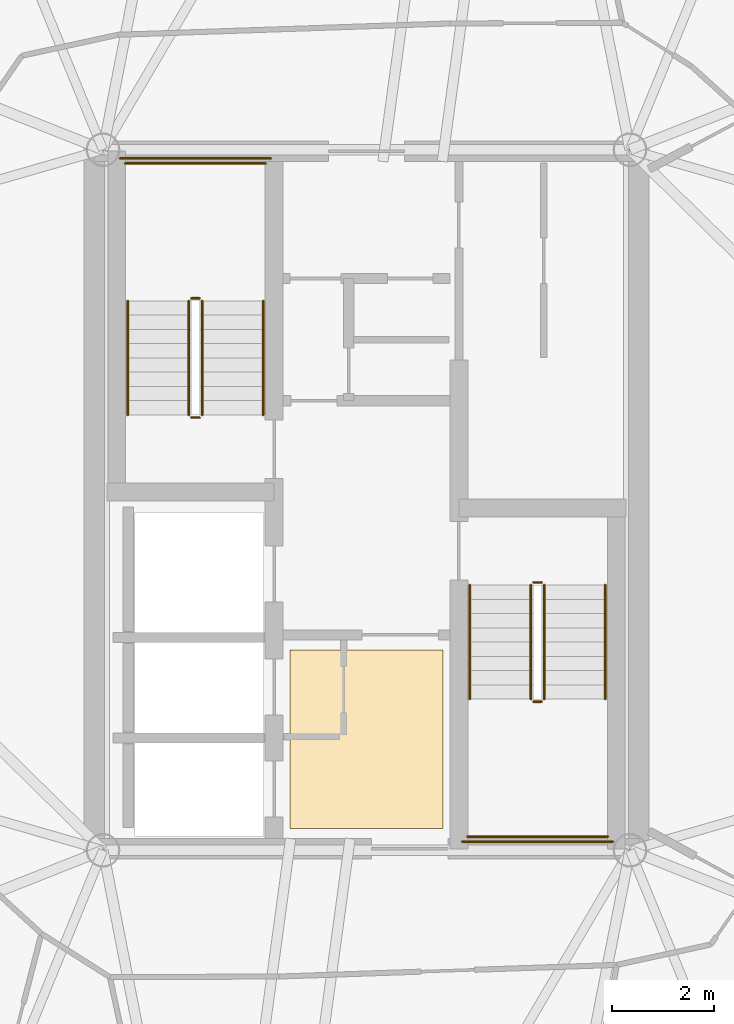
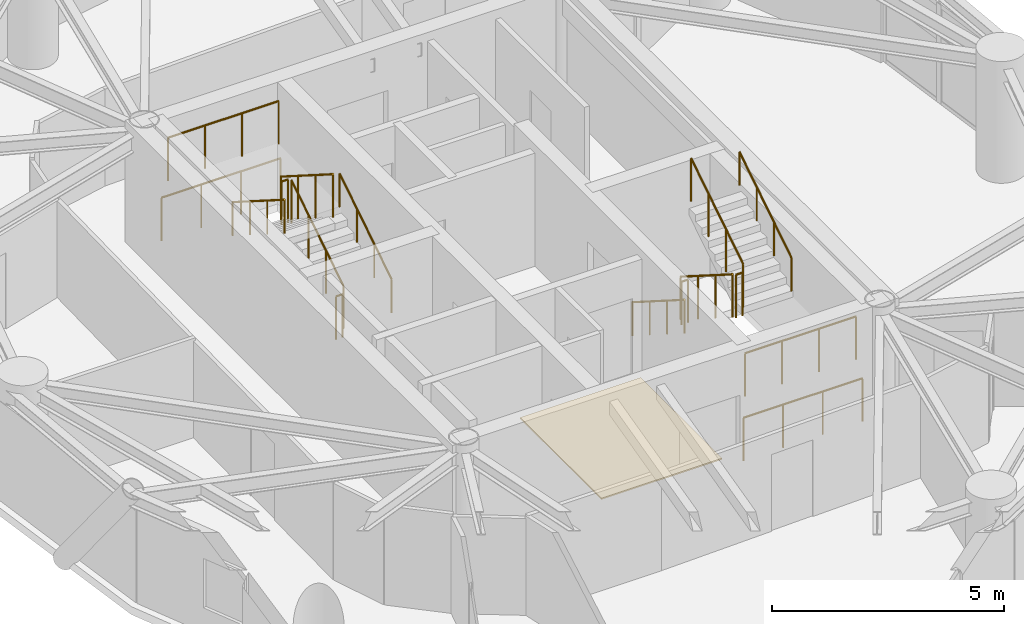
# One storey, part 14 of 15: 16 railings, 1 covering.
"""IFC4 building model written with IfcOpenShell, lengths in metres."""

from ifc_helpers import new_model, si_unit, direction, frame, origin, origin_2d, place, context, subcontext, project, spatial, polyline, circle, outline, extrude, material, layer, layer_set, type_object, element, save


model = new_model("IFC4")

# Units and contexts
model_context = context("Model", 3, precision=1e-05, world=origin(), true_north=direction((0.0, 1.0)))
body_context = subcontext(model_context, "Body", "Model", "MODEL_VIEW")
ifc_project = project(units=[si_unit("LENGTHUNIT", "METRE"), si_unit("AREAUNIT", "SQUARE_METRE"), si_unit("VOLUMEUNIT", "CUBIC_METRE"), si_unit("PLANEANGLEUNIT", "RADIAN"), si_unit("MASSUNIT", "GRAM", prefix="KILO")], contexts=[model_context])

# Site, building, storey
site_placement = place(None, origin())
site = spatial("IfcSite", under=ifc_project, at=site_placement, CompositionType="ELEMENT")
building_placement = place(site_placement, origin())
building = spatial("IfcBuilding", under=site, at=building_placement, Name="Cununo Teusaquillo Station Towers", CompositionType="ELEMENT")
storey_placement = place(building_placement, frame((0.0, 0.0, 229.25)))
storey = spatial("IfcBuildingStorey", under=building, at=storey_placement, Name="L73", CompositionType="ELEMENT", Elevation=229.25)

# Covering
ifc_material_1 = material(Name="Polished basalt-chip terrazzo floor finish", Category="masonry")
ifc_layer = layer(ifc_material_1, 0.034912109375)
ifc_layer_set = layer_set([ifc_layer], Name="Polished basalt-chip terrazzo floor finish")
covering_type = type_object("IfcCoveringType", Name="COV-FLR-TERR", PredefinedType="FLOORING", material=ifc_layer_set)
covering_placement = place(storey_placement, origin())
element("IfcCovering", 1, at=covering_placement, inside=storey, type_object=covering_type, Name="L73 Polished Terrazzo Floor Finish", PredefinedType="FLOORING", context=body_context, shape_type="SweptSolid", body=[
    extrude(outline(polyline([(15.0, 18.050048828125), (18.0, 18.050048828125), (18.0, 21.550048828125), (15.0, 21.550048828125), (15.0, 18.050048828125)])), origin(), (0.0, 0.0, 1.0), 0.034912109375),
])

# Railings
ifc_material_2 = material(Name="Steel EN 10025-2 S355J2", Category="steel")
railing_type_1 = type_object("IfcRailingType", Name="RL-INT-GUARD", PredefinedType="GUARDRAIL", material=ifc_material_2)
railing_1_placement = place(storey_placement, frame((13.27001953125, 26.169921875, 0.177734375)))
element("IfcRailing", 2, at=railing_1_placement, inside=storey, type_object=railing_type_1, Name="L73 ST-T1-1 stair guard 1", PredefinedType="GUARDRAIL", context=body_context, shape_type="SweptSolid", body=[
    extrude(circle(Radius=0.02392578125, at=origin_2d()), frame((0.0, 0.0, 1.1259765625), z_axis=(0.0, 0.84418770128, 0.536047689118), x_axis=(-1.0, 0.0, 0.0)), (0.0, 0.0, 1.0), 2.6533203125),
    extrude(circle(Radius=0.02099609375, at=origin_2d()), origin(), (0.0, 0.0, 1.0), 1.101806640625),
    extrude(circle(Radius=0.02099609375, at=origin_2d()), frame((0.0, 0.74658203125, 0.47412109375)), (0.0, 0.0, 1.0), 1.101806640625),
    extrude(circle(Radius=0.02099609375, at=origin_2d()), frame((0.0, 1.493408203125, 0.9482421875)), (0.0, 0.0, 1.0), 1.101806640625),
    extrude(circle(Radius=0.02099609375, at=origin_2d()), frame((0.0, 2.239990234375, 1.42236328125)), (0.0, 0.0, 1.0), 1.101806640625),
])
railing_2_placement = place(storey_placement, frame((13.219970703125, 28.4599609375, 1.60009765625)))
element("IfcRailing", 3, at=railing_2_placement, inside=storey, type_object=railing_type_1, Name="L73 ST-T1-1 stair guard 2", PredefinedType="GUARDRAIL", context=body_context, shape_type="SweptSolid", body=[
    extrude(circle(Radius=0.02392578125, at=origin_2d()), frame((0.0, 0.0, 1.1259765625), z_axis=(-1.0, 0.0, 0.0), x_axis=(0.0, -1.0, 0.0)), (0.0, 0.0, 1.0), 0.159912109375),
    extrude(circle(Radius=0.02099609375, at=origin_2d()), origin(), (0.0, 0.0, 1.0), 1.101806640625),
    extrude(circle(Radius=0.02099609375, at=origin_2d()), frame((-0.159912109375, 0.0, 0.0)), (0.0, 0.0, 1.0), 1.101806640625),
])
railing_3_placement = place(storey_placement, frame((14.52001953125, 31.110107421875, 1.60009765625)))
element("IfcRailing", 4, at=railing_3_placement, inside=storey, type_object=railing_type_1, Name="L73 ST-T1-1 stair guard 3", PredefinedType="GUARDRAIL", context=body_context, shape_type="SweptSolid", body=[
    extrude(circle(Radius=0.02392578125, at=origin_2d()), frame((0.0, 0.0, 1.1259765625), z_axis=(-1.0, 0.0, 0.0), x_axis=(0.0, -1.0, 0.0)), (0.0, 0.0, 1.0), 2.760009765625),
    extrude(circle(Radius=0.02099609375, at=origin_2d()), origin(), (0.0, 0.0, 1.0), 1.101806640625),
    extrude(circle(Radius=0.02099609375, at=origin_2d()), frame((-0.919921875, 0.0, 0.0)), (0.0, 0.0, 1.0), 1.101806640625),
    extrude(circle(Radius=0.02099609375, at=origin_2d()), frame((-1.840087890625, 0.0, 0.0)), (0.0, 0.0, 1.0), 1.101806640625),
    extrude(circle(Radius=0.02099609375, at=origin_2d()), frame((-2.760009765625, 0.0, 0.0)), (0.0, 0.0, 1.0), 1.101806640625),
])
railing_4_placement = place(storey_placement, frame((13.010009765625, 28.409912109375, 1.77783203125)))
element("IfcRailing", 5, at=railing_4_placement, inside=storey, type_object=railing_type_1, Name="L73 ST-T1-1 stair guard 4", PredefinedType="GUARDRAIL", context=body_context, shape_type="SweptSolid", body=[
    extrude(circle(Radius=0.02392578125, at=origin_2d()), frame((0.0, 0.0, 1.1259765625), z_axis=(0.0, -0.8442293374, 0.53598211339), x_axis=(1.0, 0.0, 0.0)), (0.0, 0.0, 1.0), 2.6533203125),
    extrude(circle(Radius=0.02099609375, at=origin_2d()), origin(), (0.0, 0.0, 1.0), 1.101806640625),
    extrude(circle(Radius=0.02099609375, at=origin_2d()), frame((0.0, -0.74658203125, 0.47412109375)), (0.0, 0.0, 1.0), 1.101806640625),
    extrude(circle(Radius=0.02099609375, at=origin_2d()), frame((0.0, -1.493408203125, 0.947998046875)), (0.0, 0.0, 1.0), 1.101806640625),
    extrude(circle(Radius=0.02099609375, at=origin_2d()), frame((0.0, -2.239990234375, 1.422119140625)), (0.0, 0.0, 1.0), 1.101806640625),
])
railing_5_placement = place(storey_placement, frame((13.219970703125, 26.1201171875, 0.0)))
element("IfcRailing", 6, at=railing_5_placement, inside=storey, type_object=railing_type_1, Name="L73 ST-T1-1 stair guard 5", PredefinedType="GUARDRAIL", context=body_context, shape_type="SweptSolid", body=[
    extrude(circle(Radius=0.02392578125, at=origin_2d()), frame((0.0, 0.0, 1.1259765625), z_axis=(-1.0, 0.0, 0.0), x_axis=(0.0, -1.0, 0.0)), (0.0, 0.0, 1.0), 0.159912109375),
    extrude(circle(Radius=0.02099609375, at=origin_2d()), origin(), (0.0, 0.0, 1.0), 1.101806640625),
    extrude(circle(Radius=0.02099609375, at=origin_2d()), frame((-0.159912109375, 0.0, 0.0)), (0.0, 0.0, 1.0), 1.101806640625),
])
railing_6_placement = place(storey_placement, frame((14.6201171875, 31.2099609375, 0.0)))
element("IfcRailing", 7, at=railing_6_placement, inside=storey, type_object=railing_type_1, Name="L73 ST-T1-1 stair guard 6", PredefinedType="GUARDRAIL", context=body_context, shape_type="SweptSolid", body=[
    extrude(circle(Radius=0.02392578125, at=origin_2d()), frame((0.0, 0.0, 1.1259765625), z_axis=(-1.0, 0.0, 0.0), x_axis=(0.0, -1.0, 0.0)), (0.0, 0.0, 1.0), 2.960205078125),
    extrude(circle(Radius=0.02099609375, at=origin_2d()), origin(), (0.0, 0.0, 1.0), 1.101806640625),
    extrude(circle(Radius=0.02099609375, at=origin_2d()), frame((-0.98681640625, 0.0, 0.0)), (0.0, 0.0, 1.0), 1.101806640625),
    extrude(circle(Radius=0.02099609375, at=origin_2d()), frame((-1.973388671875, 0.0, 0.0)), (0.0, 0.0, 1.0), 1.101806640625),
    extrude(circle(Radius=0.02099609375, at=origin_2d()), frame((-2.960205078125, 0.0, 0.0)), (0.0, 0.0, 1.0), 1.101806640625),
])
railing_7_placement = place(storey_placement, frame((19.72998046875, 22.830078125, 0.177734375)))
element("IfcRailing", 8, at=railing_7_placement, inside=storey, type_object=railing_type_1, Name="L73 ST-T1-2 stair guard 1", PredefinedType="GUARDRAIL", context=body_context, shape_type="SweptSolid", body=[
    extrude(circle(Radius=0.02392578125, at=origin_2d()), frame((0.0, 0.0, 1.1259765625), z_axis=(0.0, -0.84418770128, 0.536047689118), x_axis=(1.0, 0.0, 0.0)), (0.0, 0.0, 1.0), 2.6533203125),
    extrude(circle(Radius=0.02099609375, at=origin_2d()), origin(), (0.0, 0.0, 1.0), 1.101806640625),
    extrude(circle(Radius=0.02099609375, at=origin_2d()), frame((0.0, -0.74658203125, 0.47412109375)), (0.0, 0.0, 1.0), 1.101806640625),
    extrude(circle(Radius=0.02099609375, at=origin_2d()), frame((0.0, -1.493408203125, 0.9482421875)), (0.0, 0.0, 1.0), 1.101806640625),
    extrude(circle(Radius=0.02099609375, at=origin_2d()), frame((0.0, -2.239990234375, 1.42236328125)), (0.0, 0.0, 1.0), 1.101806640625),
])
railing_8_placement = place(storey_placement, frame((19.780029296875, 20.5400390625, 1.60009765625)))
element("IfcRailing", 9, at=railing_8_placement, inside=storey, type_object=railing_type_1, Name="L73 ST-T1-2 stair guard 2", PredefinedType="GUARDRAIL", context=body_context, shape_type="SweptSolid", body=[
    extrude(circle(Radius=0.02392578125, at=origin_2d()), frame((0.0, 0.0, 1.1259765625), z_axis=(1.0, 0.0, 0.0), x_axis=(0.0, 1.0, 0.0)), (0.0, 0.0, 1.0), 0.159912109375),
    extrude(circle(Radius=0.02099609375, at=origin_2d()), origin(), (0.0, 0.0, 1.0), 1.101806640625),
    extrude(circle(Radius=0.02099609375, at=origin_2d()), frame((0.159912109375, 0.0, 0.0)), (0.0, 0.0, 1.0), 1.101806640625),
])
railing_9_placement = place(storey_placement, frame((18.47998046875, 17.889892578125, 1.60009765625)))
element("IfcRailing", 10, at=railing_9_placement, inside=storey, type_object=railing_type_1, Name="L73 ST-T1-2 stair guard 3", PredefinedType="GUARDRAIL", context=body_context, shape_type="SweptSolid", body=[
    extrude(circle(Radius=0.02392578125, at=origin_2d()), frame((0.0, 0.0, 1.1259765625), z_axis=(1.0, 0.0, 0.0), x_axis=(0.0, 1.0, 0.0)), (0.0, 0.0, 1.0), 2.760009765625),
    extrude(circle(Radius=0.02099609375, at=origin_2d()), origin(), (0.0, 0.0, 1.0), 1.101806640625),
    extrude(circle(Radius=0.02099609375, at=origin_2d()), frame((0.919921875, 0.0, 0.0)), (0.0, 0.0, 1.0), 1.101806640625),
    extrude(circle(Radius=0.02099609375, at=origin_2d()), frame((1.840087890625, 0.0, 0.0)), (0.0, 0.0, 1.0), 1.101806640625),
    extrude(circle(Radius=0.02099609375, at=origin_2d()), frame((2.760009765625, 0.0, 0.0)), (0.0, 0.0, 1.0), 1.101806640625),
])
railing_10_placement = place(storey_placement, frame((19.989990234375, 20.590087890625, 1.77783203125)))
element("IfcRailing", 11, at=railing_10_placement, inside=storey, type_object=railing_type_1, Name="L73 ST-T1-2 stair guard 4", PredefinedType="GUARDRAIL", context=body_context, shape_type="SweptSolid", body=[
    extrude(circle(Radius=0.02392578125, at=origin_2d()), frame((0.0, 0.0, 1.1259765625), z_axis=(0.0, 0.8442293374, 0.53598211339), x_axis=(-1.0, 0.0, 0.0)), (0.0, 0.0, 1.0), 2.6533203125),
    extrude(circle(Radius=0.02099609375, at=origin_2d()), origin(), (0.0, 0.0, 1.0), 1.101806640625),
    extrude(circle(Radius=0.02099609375, at=origin_2d()), frame((0.0, 0.74658203125, 0.47412109375)), (0.0, 0.0, 1.0), 1.101806640625),
    extrude(circle(Radius=0.02099609375, at=origin_2d()), frame((0.0, 1.493408203125, 0.947998046875)), (0.0, 0.0, 1.0), 1.101806640625),
    extrude(circle(Radius=0.02099609375, at=origin_2d()), frame((0.0, 2.239990234375, 1.422119140625)), (0.0, 0.0, 1.0), 1.101806640625),
])
railing_11_placement = place(storey_placement, frame((19.780029296875, 22.8798828125, 0.0)))
element("IfcRailing", 12, at=railing_11_placement, inside=storey, type_object=railing_type_1, Name="L73 ST-T1-2 stair guard 5", PredefinedType="GUARDRAIL", context=body_context, shape_type="SweptSolid", body=[
    extrude(circle(Radius=0.02392578125, at=origin_2d()), frame((0.0, 0.0, 1.1259765625), z_axis=(1.0, 0.0, 0.0), x_axis=(0.0, 1.0, 0.0)), (0.0, 0.0, 1.0), 0.159912109375),
    extrude(circle(Radius=0.02099609375, at=origin_2d()), origin(), (0.0, 0.0, 1.0), 1.101806640625),
    extrude(circle(Radius=0.02099609375, at=origin_2d()), frame((0.159912109375, 0.0, 0.0)), (0.0, 0.0, 1.0), 1.101806640625),
])
railing_12_placement = place(storey_placement, frame((18.3798828125, 17.7900390625, 0.0)))
element("IfcRailing", 13, at=railing_12_placement, inside=storey, type_object=railing_type_1, Name="L73 ST-T1-2 stair guard 6", PredefinedType="GUARDRAIL", context=body_context, shape_type="SweptSolid", body=[
    extrude(circle(Radius=0.02392578125, at=origin_2d()), frame((0.0, 0.0, 1.1259765625), z_axis=(1.0, 0.0, 0.0), x_axis=(0.0, 1.0, 0.0)), (0.0, 0.0, 1.0), 2.960205078125),
    extrude(circle(Radius=0.02099609375, at=origin_2d()), origin(), (0.0, 0.0, 1.0), 1.101806640625),
    extrude(circle(Radius=0.02099609375, at=origin_2d()), frame((0.98681640625, 0.0, 0.0)), (0.0, 0.0, 1.0), 1.101806640625),
    extrude(circle(Radius=0.02099609375, at=origin_2d()), frame((1.973388671875, 0.0, 0.0)), (0.0, 0.0, 1.0), 1.101806640625),
    extrude(circle(Radius=0.02099609375, at=origin_2d()), frame((2.960205078125, 0.0, 0.0)), (0.0, 0.0, 1.0), 1.101806640625),
])
ifc_material_3 = material(Name="Steel EN 10025-2 S355J2", Category="steel")
railing_type_2 = type_object("IfcRailingType", Name="RL-INT-HRAIL", PredefinedType="HANDRAIL", material=ifc_material_3)
railing_13_placement = place(storey_placement, frame((14.469970703125, 26.169921875, 0.177734375)))
element("IfcRailing", 14, at=railing_13_placement, inside=storey, type_object=railing_type_2, Name="L73 ST-T1-1 stair handrail 1", PredefinedType="HANDRAIL", context=body_context, shape_type="SweptSolid", body=[
    extrude(circle(Radius=0.02392578125, at=origin_2d()), frame((0.0, 0.0, 0.8759765625), z_axis=(0.0, 0.84418770128, 0.536047689118), x_axis=(-1.0, 0.0, 0.0)), (0.0, 0.0, 1.0), 2.6533203125),
    extrude(circle(Radius=0.02099609375, at=origin_2d()), origin(), (0.0, 0.0, 1.0), 0.851806640625),
    extrude(circle(Radius=0.02099609375, at=origin_2d()), frame((0.0, 0.74658203125, 0.47412109375)), (0.0, 0.0, 1.0), 0.851806640625),
    extrude(circle(Radius=0.02099609375, at=origin_2d()), frame((0.0, 1.493408203125, 0.9482421875)), (0.0, 0.0, 1.0), 0.851806640625),
    extrude(circle(Radius=0.02099609375, at=origin_2d()), frame((0.0, 2.239990234375, 1.42236328125)), (0.0, 0.0, 1.0), 0.851806640625),
])
railing_14_placement = place(storey_placement, frame((11.81005859375, 28.409912109375, 1.77783203125)))
element("IfcRailing", 15, at=railing_14_placement, inside=storey, type_object=railing_type_2, Name="L73 ST-T1-1 stair handrail 2", PredefinedType="HANDRAIL", context=body_context, shape_type="SweptSolid", body=[
    extrude(circle(Radius=0.02392578125, at=origin_2d()), frame((0.0, 0.0, 0.8759765625), z_axis=(0.0, -0.8442293374, 0.53598211339), x_axis=(1.0, 0.0, 0.0)), (0.0, 0.0, 1.0), 2.6533203125),
    extrude(circle(Radius=0.02099609375, at=origin_2d()), origin(), (0.0, 0.0, 1.0), 0.851806640625),
    extrude(circle(Radius=0.02099609375, at=origin_2d()), frame((0.0, -0.74658203125, 0.47412109375)), (0.0, 0.0, 1.0), 0.851806640625),
    extrude(circle(Radius=0.02099609375, at=origin_2d()), frame((0.0, -1.493408203125, 0.947998046875)), (0.0, 0.0, 1.0), 0.851806640625),
    extrude(circle(Radius=0.02099609375, at=origin_2d()), frame((0.0, -2.239990234375, 1.422119140625)), (0.0, 0.0, 1.0), 0.851806640625),
])
railing_15_placement = place(storey_placement, frame((18.530029296875, 22.830078125, 0.177734375)))
element("IfcRailing", 16, at=railing_15_placement, inside=storey, type_object=railing_type_2, Name="L73 ST-T1-2 stair handrail 1", PredefinedType="HANDRAIL", context=body_context, shape_type="SweptSolid", body=[
    extrude(circle(Radius=0.02392578125, at=origin_2d()), frame((0.0, 0.0, 0.8759765625), z_axis=(0.0, -0.84418770128, 0.536047689118), x_axis=(1.0, 0.0, 0.0)), (0.0, 0.0, 1.0), 2.6533203125),
    extrude(circle(Radius=0.02099609375, at=origin_2d()), origin(), (0.0, 0.0, 1.0), 0.851806640625),
    extrude(circle(Radius=0.02099609375, at=origin_2d()), frame((0.0, -0.74658203125, 0.47412109375)), (0.0, 0.0, 1.0), 0.851806640625),
    extrude(circle(Radius=0.02099609375, at=origin_2d()), frame((0.0, -1.493408203125, 0.9482421875)), (0.0, 0.0, 1.0), 0.851806640625),
    extrude(circle(Radius=0.02099609375, at=origin_2d()), frame((0.0, -2.239990234375, 1.42236328125)), (0.0, 0.0, 1.0), 0.851806640625),
])
railing_16_placement = place(storey_placement, frame((21.18994140625, 20.590087890625, 1.77783203125)))
element("IfcRailing", 17, at=railing_16_placement, inside=storey, type_object=railing_type_2, Name="L73 ST-T1-2 stair handrail 2", PredefinedType="HANDRAIL", context=body_context, shape_type="SweptSolid", body=[
    extrude(circle(Radius=0.02392578125, at=origin_2d()), frame((0.0, 0.0, 0.8759765625), z_axis=(0.0, 0.8442293374, 0.53598211339), x_axis=(-1.0, 0.0, 0.0)), (0.0, 0.0, 1.0), 2.6533203125),
    extrude(circle(Radius=0.02099609375, at=origin_2d()), origin(), (0.0, 0.0, 1.0), 0.851806640625),
    extrude(circle(Radius=0.02099609375, at=origin_2d()), frame((0.0, 0.74658203125, 0.47412109375)), (0.0, 0.0, 1.0), 0.851806640625),
    extrude(circle(Radius=0.02099609375, at=origin_2d()), frame((0.0, 1.493408203125, 0.947998046875)), (0.0, 0.0, 1.0), 0.851806640625),
    extrude(circle(Radius=0.02099609375, at=origin_2d()), frame((0.0, 2.239990234375, 1.422119140625)), (0.0, 0.0, 1.0), 0.851806640625),
])

save(model, "model.ifc")
